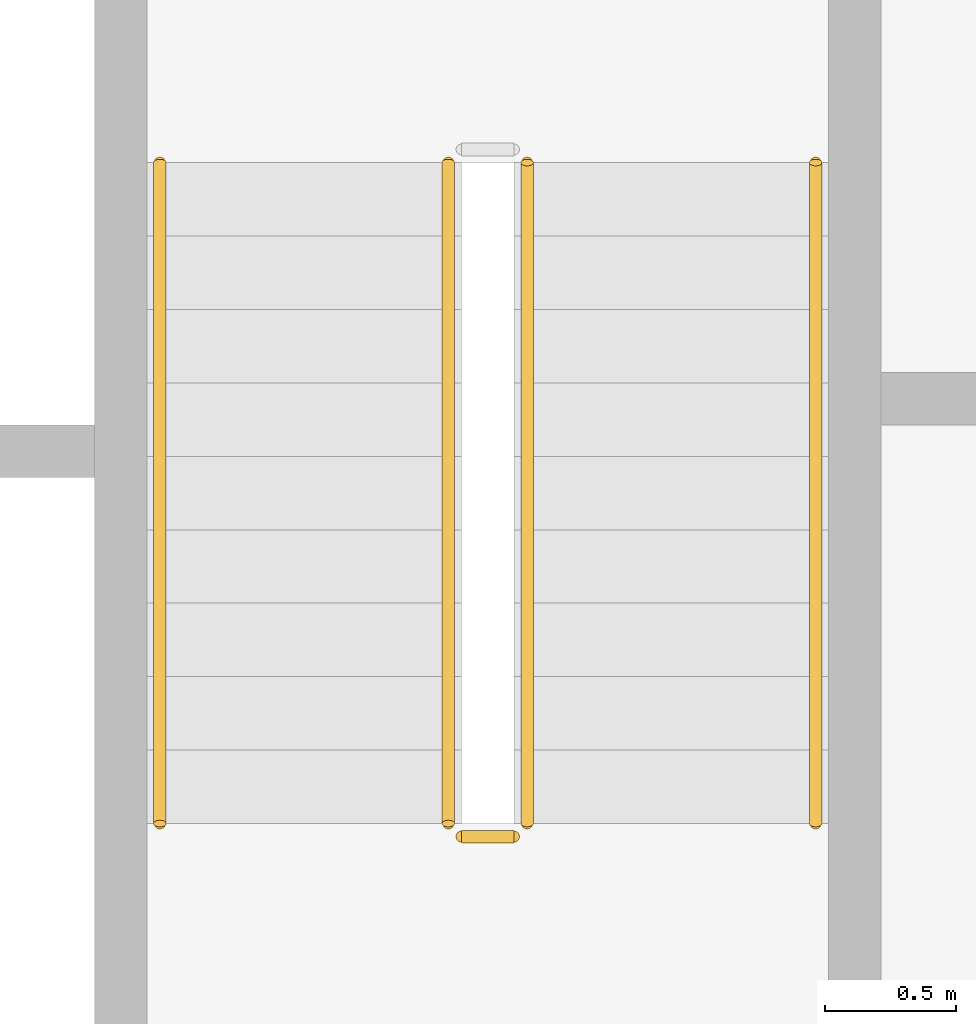
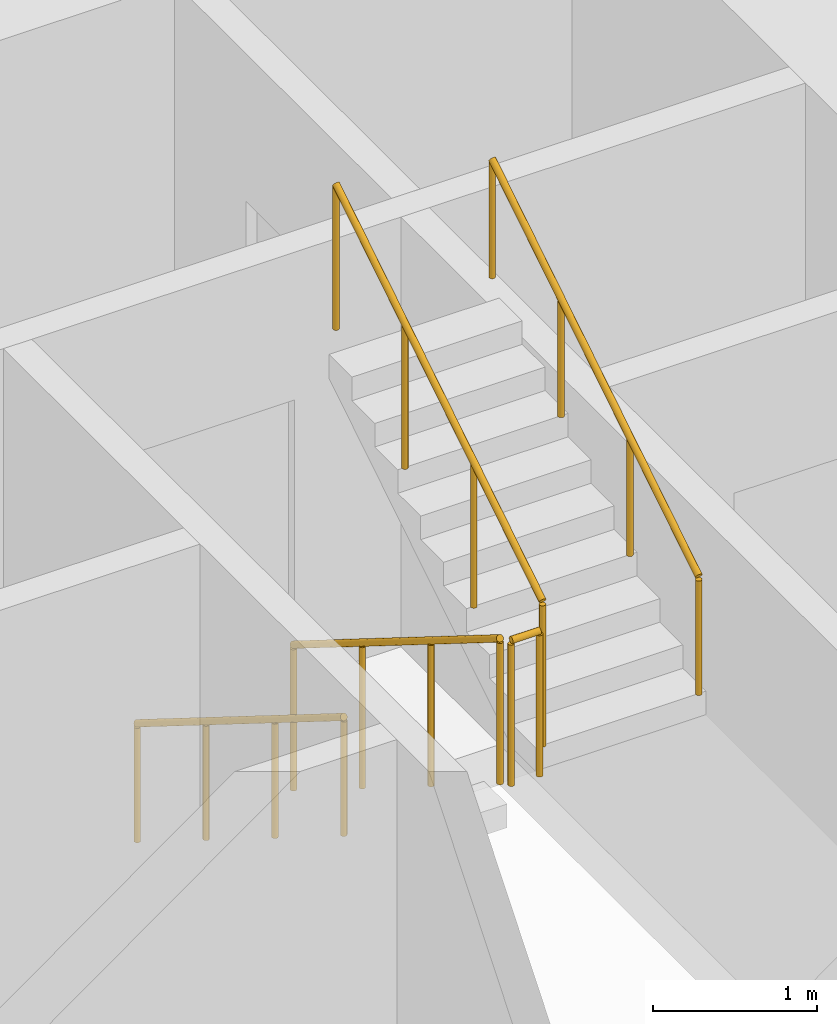
# One storey, part 19 of 22: 5 railings.
"""IFC4 building model written with IfcOpenShell, lengths in metres."""

from ifc_helpers import new_model, si_unit, direction, frame, origin, origin_2d, place, context, subcontext, project, spatial, circle, extrude, material, type_object, element, save


model = new_model("IFC4")

# Units and contexts
model_context = context("Model", 3, precision=1e-05, world=origin(), true_north=direction((0.0, 1.0)))
body_context = subcontext(model_context, "Body", "Model", "MODEL_VIEW")
ifc_project = project(units=[si_unit("LENGTHUNIT", "METRE"), si_unit("AREAUNIT", "SQUARE_METRE"), si_unit("VOLUMEUNIT", "CUBIC_METRE"), si_unit("PLANEANGLEUNIT", "RADIAN"), si_unit("MASSUNIT", "GRAM", prefix="KILO")], contexts=[model_context])

# Site, building, storey
site_placement = place(None, origin())
site = spatial("IfcSite", under=ifc_project, at=site_placement, CompositionType="ELEMENT")
building_placement = place(site_placement, origin())
building = spatial("IfcBuilding", under=site, at=building_placement, Name="Kiln Ring Residences", CompositionType="ELEMENT")
storey_placement = place(building_placement, frame((0.0, 0.0, 150.10009765625)))
storey = spatial("IfcBuildingStorey", under=building, at=storey_placement, Name="L38", CompositionType="ELEMENT", Elevation=150.10009765625)

# Railings
ifc_material_1 = material(Name="Stainless steel", Category="steel")
railing_type_1 = type_object("IfcRailingType", Name="CORE-STAIR-GUARD", PredefinedType="GUARDRAIL", material=ifc_material_1)
railing_1_placement = place(storey_placement, frame((21.949951171875, 8.39990234375, 0.1748046875)))
element("IfcRailing", 1, at=railing_1_placement, inside=storey, type_object=railing_type_1, Name="L38 E-STN stair guard 1", PredefinedType="GUARDRAIL", context=body_context, shape_type="SweptSolid", body=[
    extrude(circle(Radius=0.02392578125, at=origin_2d()), frame((0.0, 0.0, 1.076171875), z_axis=(0.0, -0.847970611238, 0.530043245855), x_axis=(1.0, 0.0, 0.0)), (0.0, 0.0, 1.0), 2.971923828125),
    extrude(circle(Radius=0.02099609375, at=origin_2d()), origin(), (0.0, 0.0, 1.0), 1.052001953125),
    extrude(circle(Radius=0.02099609375, at=origin_2d()), frame((0.0, -0.840087890625, 0.525146484375)), (0.0, 0.0, 1.0), 1.052001953125),
    extrude(circle(Radius=0.02099609375, at=origin_2d()), frame((0.0, -1.679931640625, 1.050048828125)), (0.0, 0.0, 1.0), 1.052001953125),
    extrude(circle(Radius=0.02099609375, at=origin_2d()), frame((0.0, -2.52001953125, 1.5751953125)), (0.0, 0.0, 1.0), 1.052001953125),
])
railing_2_placement = place(storey_placement, frame((22.0, 5.830078125, 1.75)))
element("IfcRailing", 2, at=railing_2_placement, inside=storey, type_object=railing_type_1, Name="L38 E-STN stair guard 2", PredefinedType="GUARDRAIL", context=body_context, shape_type="SweptSolid", body=[
    extrude(circle(Radius=0.02392578125, at=origin_2d()), frame((0.0, 0.0, 1.076171875), z_axis=(1.0, 0.0, 0.0), x_axis=(0.0, 1.0, 0.0)), (0.0, 0.0, 1.0), 0.199951171875),
    extrude(circle(Radius=0.02099609375, at=origin_2d()), origin(), (0.0, 0.0, 1.0), 1.052001953125),
    extrude(circle(Radius=0.02099609375, at=origin_2d()), frame((0.199951171875, 0.0, 0.0)), (0.0, 0.0, 1.0), 1.052001953125),
])
railing_3_placement = place(storey_placement, frame((22.25, 5.8798828125, 1.9248046875)))
element("IfcRailing", 3, at=railing_3_placement, inside=storey, type_object=railing_type_1, Name="L38 E-STN stair guard 3", PredefinedType="GUARDRAIL", context=body_context, shape_type="SweptSolid", body=[
    extrude(circle(Radius=0.02392578125, at=origin_2d()), frame((0.0, 0.0, 1.076171875), z_axis=(0.0, 0.847970611238, 0.530043245855), x_axis=(-1.0, 0.0, 0.0)), (0.0, 0.0, 1.0), 2.971923828125),
    extrude(circle(Radius=0.02099609375, at=origin_2d()), origin(), (0.0, 0.0, 1.0), 1.052001953125),
    extrude(circle(Radius=0.02099609375, at=origin_2d()), frame((0.0, 0.840087890625, 0.525146484375)), (0.0, 0.0, 1.0), 1.052001953125),
    extrude(circle(Radius=0.02099609375, at=origin_2d()), frame((0.0, 1.679931640625, 1.050048828125)), (0.0, 0.0, 1.0), 1.052001953125),
    extrude(circle(Radius=0.02099609375, at=origin_2d()), frame((0.0, 2.52001953125, 1.5751953125)), (0.0, 0.0, 1.0), 1.052001953125),
])
ifc_material_2 = material(Name="Stainless steel", Category="steel")
railing_type_2 = type_object("IfcRailingType", Name="CORE-STAIR-HANDRAIL", PredefinedType="HANDRAIL", material=ifc_material_2)
railing_4_placement = place(storey_placement, frame((20.85009765625, 8.39990234375, 0.1748046875)))
element("IfcRailing", 4, at=railing_4_placement, inside=storey, type_object=railing_type_2, Name="L38 E-STN stair handrail 1", PredefinedType="HANDRAIL", context=body_context, shape_type="SweptSolid", body=[
    extrude(circle(Radius=0.02392578125, at=origin_2d()), frame((0.0, 0.0, 0.8759765625), z_axis=(0.0, -0.847970611238, 0.530043245855), x_axis=(1.0, 0.0, 0.0)), (0.0, 0.0, 1.0), 2.971923828125),
    extrude(circle(Radius=0.02099609375, at=origin_2d()), origin(), (0.0, 0.0, 1.0), 0.851806640625),
    extrude(circle(Radius=0.02099609375, at=origin_2d()), frame((0.0, -0.840087890625, 0.525146484375)), (0.0, 0.0, 1.0), 0.851806640625),
    extrude(circle(Radius=0.02099609375, at=origin_2d()), frame((0.0, -1.679931640625, 1.050048828125)), (0.0, 0.0, 1.0), 0.851806640625),
    extrude(circle(Radius=0.02099609375, at=origin_2d()), frame((0.0, -2.52001953125, 1.5751953125)), (0.0, 0.0, 1.0), 0.851806640625),
])
railing_5_placement = place(storey_placement, frame((23.35009765625, 5.8798828125, 1.9248046875)))
element("IfcRailing", 5, at=railing_5_placement, inside=storey, type_object=railing_type_2, Name="L38 E-STN stair handrail 2", PredefinedType="HANDRAIL", context=body_context, shape_type="SweptSolid", body=[
    extrude(circle(Radius=0.02392578125, at=origin_2d()), frame((0.0, 0.0, 0.8759765625), z_axis=(0.0, 0.847970611238, 0.530043245855), x_axis=(-1.0, 0.0, 0.0)), (0.0, 0.0, 1.0), 2.971923828125),
    extrude(circle(Radius=0.02099609375, at=origin_2d()), origin(), (0.0, 0.0, 1.0), 0.851806640625),
    extrude(circle(Radius=0.02099609375, at=origin_2d()), frame((0.0, 0.840087890625, 0.525146484375)), (0.0, 0.0, 1.0), 0.851806640625),
    extrude(circle(Radius=0.02099609375, at=origin_2d()), frame((0.0, 1.679931640625, 1.050048828125)), (0.0, 0.0, 1.0), 0.851806640625),
    extrude(circle(Radius=0.02099609375, at=origin_2d()), frame((0.0, 2.52001953125, 1.5751953125)), (0.0, 0.0, 1.0), 0.851806640625),
])

save(model, "model.ifc")
